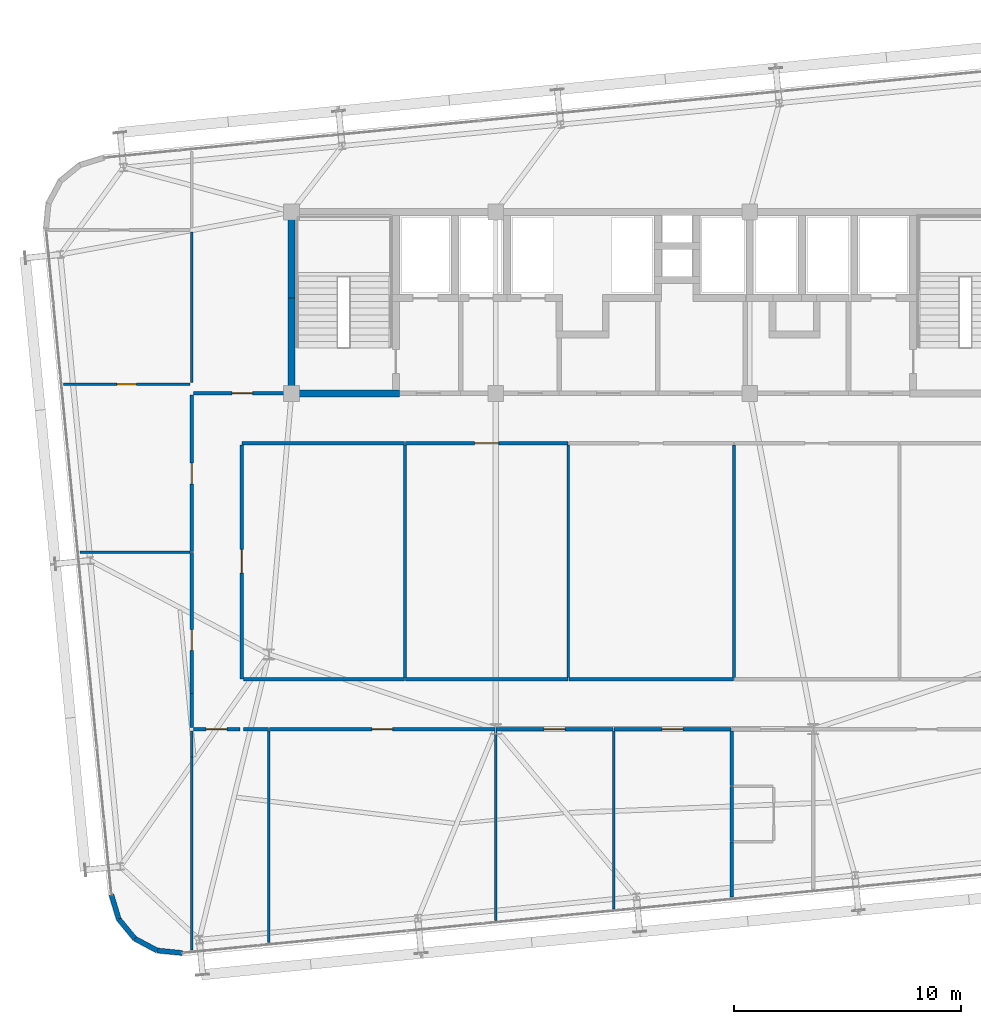
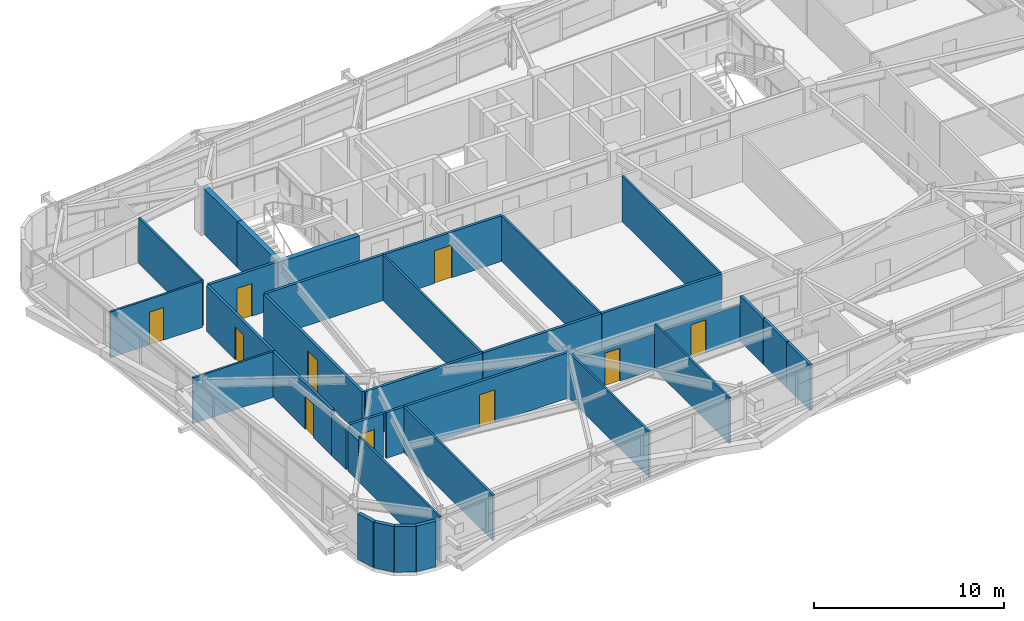
# One storey, part 46 of 52: 36 walls, 10 doors, 10 openings.
"""IFC4 building model written with IfcOpenShell, lengths in metres."""

from ifc_helpers import new_model, si_unit, direction, frame, frame_2d, origin, place, context, subcontext, project, spatial, rectangle, extrude, source, transform, mapped, material, layer, layer_set, type_object, element, fill, save


model = new_model("IFC4")

# Units and contexts
model_context = context("Model", 3, precision=1e-05, world=origin(), true_north=direction((0.0, 1.0)))
body_context = subcontext(model_context, "Body", "Model", "MODEL_VIEW")
ifc_project = project(units=[si_unit("LENGTHUNIT", "METRE"), si_unit("AREAUNIT", "SQUARE_METRE"), si_unit("VOLUMEUNIT", "CUBIC_METRE"), si_unit("PLANEANGLEUNIT", "RADIAN"), si_unit("MASSUNIT", "GRAM", prefix="KILO")], contexts=[model_context])

# Site, building, storey
site_placement = place(None, origin())
site = spatial("IfcSite", under=ifc_project, at=site_placement, CompositionType="ELEMENT")
building_placement = place(site_placement, origin())
building = spatial("IfcBuilding", under=site, at=building_placement, Name="Taldren Reach Tower", CompositionType="ELEMENT")
storey_placement = place(building_placement, frame((0.0, 0.0, 93.449951171875)))
storey = spatial("IfcBuildingStorey", under=building, at=storey_placement, Name="L28", CompositionType="ELEMENT", Elevation=93.449951171875)

# Walls
ifc_material_1 = material(Name="Pale Champagne Anodised Aluminium Cladding", Category="aluminium")
ifc_layer_1 = layer(ifc_material_1, 0.04, Name="Pale Champagne Anodised Aluminium Cladding", Category="aluminium")
ifc_material_2 = material(Name="Mineral Wool Acoustic Insulation", Category="insulation")
ifc_layer_2 = layer(ifc_material_2, 0.06, Name="Mineral Wool Acoustic Insulation", Category="insulation")
ifc_material_3 = material(Name="Steel Gr 350 (C350L0)", Category="steel")
ifc_layer_3 = layer(ifc_material_3, 0.12, Name="Steel Gr 350 (C350L0)", Category="steel")
ifc_layer_set_1 = layer_set([ifc_layer_1, ifc_layer_2, ifc_layer_3], Name="Pale Champagne Aluminium Cladding and Steel Gr 350 Stud Framing")
wall_type_1 = type_object("IfcWallType", Name="EW-CRN-220", PredefinedType="SOLIDWALL", material=ifc_layer_set_1)
shared_shape_1 = source(origin(), body_context, "Body", "SweptSolid", [
    extrude(rectangle(XDim=1.115966796875, YDim=0.219970703125, at=frame_2d((0.55810546875, 0.0))), origin(), (0.0, 0.0, 1.0), 2.929931640625),
])
for number, where, z_axis, x_axis, name in (
    (1, (11.062255859375, 1.90185546875, 0.0), (0.0, 0.0, 1.0), (0.289855603468, -0.957070388811, 0.0), "Rounded-corner pale-metal facade wall L28-SW1"),
    (2, (11.3857421875, 0.833740234375, 0.0), (0.0, 0.0, 1.0), (0.633988016432, -0.773342870285, 0.0), "Rounded-corner pale-metal facade wall L28-SW2"),
    (3, (13.0771484375, -0.5556640625, 0.0), (0.0, 0.0, 1.0), (0.995142755671, -0.09844234778, 0.0), "Rounded-corner pale-metal facade wall L28-SW4"),
):
    element("IfcWall", number, at=place(storey_placement, frame(where, z_axis=z_axis, x_axis=x_axis)), inside=storey, type_object=wall_type_1, Name=name, PredefinedType="SOLIDWALL", context=body_context, shape_type="MappedRepresentation", body=[
        mapped(shared_shape_1, transform((0.0, 0.0, 0.0), scale=1.0)),
    ])
shared_shape_2 = source(origin(), body_context, "Body", "SweptSolid", [
    extrude(rectangle(XDim=1.11572265625, YDim=0.219970703125, at=frame_2d((0.557861328125, 0.0))), origin(), (0.0, 0.0, 1.0), 2.929931640625),
])
wall_1_placement = place(storey_placement, frame((12.09326171875, -0.029296875, 0.0), z_axis=(0.0, 0.0, 1.0), x_axis=(0.881746547635, -0.471723463201, 0.0)))
element("IfcWall", 4, at=wall_1_placement, inside=storey, type_object=wall_type_1, Name="Rounded-corner pale-metal facade wall L28-SW3", PredefinedType="SOLIDWALL", context=body_context, shape_type="MappedRepresentation", body=[
    mapped(shared_shape_2, transform((0.0, 0.0, 0.0), scale=1.0)),
])

# Wall, opening, door
ifc_material_4 = material(Name="Fire-Rated Acoustic Plasterboard Stud Wall", Category="gypsum")
ifc_layer_4 = layer(ifc_material_4, 0.159912109375)
ifc_layer_set_2 = layer_set([ifc_layer_4], Name="Fire-Rated Acoustic Plasterboard Stud Wall")
wall_type_2 = type_object("IfcWallType", Name="IW-FIRE-160", PredefinedType="PARTITIONING", material=ifc_layer_set_2)
shared_shape_3 = source(origin(), body_context, "Body", "SweptSolid", [
    extrude(rectangle(XDim=10.2998046875, YDim=0.159912109375, at=frame_2d((5.14990234375, 0.0))), origin(), (0.0, 0.0, 1.0), 2.929931640625),
])
wall_2_placement = place(storey_placement, frame((16.800048828125, 21.719970703125, 0.0), z_axis=(0.0, 0.0, 1.0), x_axis=(0.0, -1.0, 0.0)))
wall_2 = element("IfcWall", 5, at=wall_2_placement, inside=storey, type_object=wall_type_2, Name="Interior Partition Wall W-INT-L28-047", PredefinedType="PARTITIONING", context=body_context, shape_type="MappedRepresentation", body=[
    mapped(shared_shape_3, transform((0.0, 0.0, 0.0), scale=1.0)),
])
shared_shape_4 = source(origin(), body_context, "Body", "SweptSolid", [
    extrude(rectangle(XDim=1.050048828125, YDim=2.10009765625, at=frame_2d((0.52490234375, 1.050048828125))), frame((0.0, 0.08984375, 0.0), z_axis=(0.0, -1.0, 0.0), x_axis=(1.0, 0.0, 0.0)), (0.0, 0.0, 1.0), 0.179931640625),
])
opening_1_placement = place(wall_2_placement, frame((4.594970703125, 0.0, 0.0)))
opening_1 = element("IfcOpeningElement", 6, at=opening_1_placement, cuts=wall_2, Name="Opening DF-105", PredefinedType="OPENING", context=body_context, shape_type="MappedRepresentation", body=[
    mapped(shared_shape_4, transform((0.0, 0.0, 0.0), scale=1.0)),
])
ifc_material_5 = material(Name="Fire-Rated Care and Stair Exit Door")
door_type_1 = type_object("IfcDoorType", Name="ID-FIRE-105", OperationType="NOTDEFINED", PredefinedType="DOOR", material=ifc_material_5)
shared_shape_5 = source(origin(), body_context, "Body", "SweptSolid", [
    extrude(rectangle(XDim=1.050048828125, YDim=2.10009765625, at=frame_2d((0.52490234375, 1.050048828125))), frame((0.0, 0.02490234375, 0.0), z_axis=(0.0, -1.0, 0.0), x_axis=(1.0, 0.0, 0.0)), (0.0, 0.0, 1.0), 0.050048828125),
])
door_1_placement = place(opening_1_placement, origin())
door_1 = element("IfcDoor", 7, at=door_1_placement, inside=storey, type_object=door_type_1, Name="Interior Door DR-L28-009", OperationType="SINGLE_SWING_RIGHT", OverallHeight=2.10009765625, OverallWidth=1.050048828125, PredefinedType="DOOR", context=body_context, shape_type="MappedRepresentation", body=[
    mapped(shared_shape_5, transform((0.0, 0.0, 0.0), scale=1.0)),
])
fill(opening_1, door_1)

shared_shape_6 = source(origin(), body_context, "Body", "SweptSolid", [
    extrude(rectangle(XDim=2.0400390625, YDim=0.159912109375, at=frame_2d((1.02001953125, 0.0))), origin(), (0.0, 0.0, 1.0), 2.929931640625),
])
wall_3_placement = place(storey_placement, frame((16.719970703125, 9.199951171875, 0.0), z_axis=(0.0, 0.0, 1.0), x_axis=(-1.0, 0.0, 0.0)))
wall_3 = element("IfcWall", 8, at=wall_3_placement, inside=storey, type_object=wall_type_2, Name="Interior Partition Wall W-INT-L28-054", PredefinedType="PARTITIONING", context=body_context, shape_type="MappedRepresentation", body=[
    mapped(shared_shape_6, transform((0.0, 0.0, 0.0), scale=1.0)),
])
shared_shape_7 = source(origin(), body_context, "Body", "SweptSolid", [
    extrude(rectangle(XDim=0.919921875, YDim=2.10009765625, at=frame_2d((0.4599609375, 1.050048828125))), frame((0.0, 0.08984375, 0.0), z_axis=(0.0, -1.0, 0.0), x_axis=(1.0, 0.0, 0.0)), (0.0, 0.0, 1.0), 0.179931640625),
])
opening_2_placement = place(wall_3_placement, frame((0.56005859375, 0.0, 0.0)))
opening_2 = element("IfcOpeningElement", 9, at=opening_2_placement, cuts=wall_3, Name="Opening DI-092", PredefinedType="OPENING", context=body_context, shape_type="MappedRepresentation", body=[
    mapped(shared_shape_7, transform((0.0, 0.0, 0.0), scale=1.0)),
])
ifc_material_6 = material(Name="Solid-Core Timber Suite Door", Category="wood")
door_type_2 = type_object("IfcDoorType", Name="ID-INT-092", OperationType="NOTDEFINED", PredefinedType="DOOR", material=ifc_material_6)
shared_shape_8 = source(origin(), body_context, "Body", "SweptSolid", [
    extrude(rectangle(XDim=0.919921875, YDim=2.10009765625, at=frame_2d((0.4599609375, 1.050048828125))), frame((0.0, 0.02490234375, 0.0), z_axis=(0.0, -1.0, 0.0), x_axis=(1.0, 0.0, 0.0)), (0.0, 0.0, 1.0), 0.050048828125),
])
door_2_placement = place(opening_2_placement, origin())
door_2 = element("IfcDoor", 10, at=door_2_placement, inside=storey, type_object=door_type_2, Name="Interior Door DR-L28-014", OperationType="SINGLE_SWING_LEFT", OverallHeight=2.10009765625, OverallWidth=0.919921875, PredefinedType="DOOR", context=body_context, shape_type="MappedRepresentation", body=[
    mapped(shared_shape_8, transform((0.0, 0.0, 0.0), scale=1.0)),
])
fill(opening_2, door_2)

# Walls
shared_shape_9 = source(origin(), body_context, "Body", "SweptSolid", [
    extrude(rectangle(XDim=1.099853515625, YDim=0.159912109375, at=frame_2d((0.5498046875, 0.0))), origin(), (0.0, 0.0, 1.0), 2.929931640625),
])
wall_4_placement = place(storey_placement, frame((17.979736328125, 9.199951171875, 0.0), z_axis=(0.0, 0.0, 1.0), x_axis=(-1.0, 0.0, 0.0)))
element("IfcWall", 11, at=wall_4_placement, inside=storey, type_object=wall_type_2, Name="Interior Partition Wall W-INT-L28-067", PredefinedType="PARTITIONING", context=body_context, shape_type="MappedRepresentation", body=[
    mapped(shared_shape_9, transform((0.0, 0.0, 0.0), scale=1.0)),
])
shared_shape_10 = source(origin(), body_context, "Body", "SweptSolid", [
    extrude(rectangle(XDim=2.40966796875, YDim=0.159912109375, at=frame_2d((1.204833984375, 0.0))), origin(), (0.0, 0.0, 1.0), 2.929931640625),
])
wall_5_placement = place(storey_placement, frame((38.39990234375, 6.668212890625, 0.0), z_axis=(0.0, 0.0, 1.0), x_axis=(0.0, -1.0, 0.0)))
element("IfcWall", 12, at=wall_5_placement, inside=storey, type_object=wall_type_2, Name="Interior Partition Wall W-INT-L28-084", PredefinedType="PARTITIONING", context=body_context, shape_type="MappedRepresentation", body=[
    mapped(shared_shape_10, transform((0.0, 0.0, 0.0), scale=1.0)),
])

# Wall, opening, door
shared_shape_11 = source(origin(), body_context, "Body", "SweptSolid", [
    extrude(rectangle(XDim=9.95947265625, YDim=0.159912109375, at=frame_2d((4.979736328125, 0.0))), origin(), (0.0, 0.0, 1.0), 2.929931640625),
])
wall_6_placement = place(storey_placement, frame((27.979736328125, 9.199951171875, 0.0), z_axis=(0.0, 0.0, 1.0), x_axis=(-1.0, 0.0, 0.0)))
wall_6 = element("IfcWall", 13, at=wall_6_placement, inside=storey, type_object=wall_type_2, Name="Interior Partition Wall W-INT-L28-068", PredefinedType="PARTITIONING", context=body_context, shape_type="MappedRepresentation", body=[
    mapped(shared_shape_11, transform((0.0, 0.0, 0.0), scale=1.0)),
])
opening_3_placement = place(wall_6_placement, frame((4.519775390625, 0.0, 0.0)))
opening_3 = element("IfcOpeningElement", 14, at=opening_3_placement, cuts=wall_6, Name="Opening DI-092", PredefinedType="OPENING", context=body_context, shape_type="MappedRepresentation", body=[
    mapped(shared_shape_7, transform((0.0, 0.0, 0.0), scale=1.0)),
])
door_3_placement = place(opening_3_placement, origin())
door_3 = element("IfcDoor", 15, at=door_3_placement, inside=storey, type_object=door_type_2, Name="Interior Door DR-L28-021", OperationType="SINGLE_SWING_RIGHT", OverallHeight=2.10009765625, OverallWidth=0.919921875, PredefinedType="DOOR", context=body_context, shape_type="MappedRepresentation", body=[
    mapped(shared_shape_8, transform((0.0, 0.0, 0.0), scale=1.0)),
])
fill(opening_3, door_3)

# Wall
shared_shape_12 = source(origin(), body_context, "Body", "SweptSolid", [
    extrude(rectangle(XDim=7.159423828125, YDim=0.159912109375, at=frame_2d((3.57958984375, 0.0))), origin(), (0.0, 0.0, 1.0), 2.929931640625),
])
wall_7_placement = place(storey_placement, frame((23.979736328125, 21.800048828125, 0.0), z_axis=(0.0, 0.0, 1.0), x_axis=(-1.0, 0.0, 0.0)))
element("IfcWall", 16, at=wall_7_placement, inside=storey, type_object=wall_type_2, Name="Interior Partition Wall W-INT-L28-048", PredefinedType="PARTITIONING", context=body_context, shape_type="MappedRepresentation", body=[
    mapped(shared_shape_12, transform((0.0, 0.0, 0.0), scale=1.0)),
])

# Wall, opening, door
wall_8_placement = place(storey_placement, frame((31.1796875, 21.800048828125, 0.0), z_axis=(0.0, 0.0, 1.0), x_axis=(-1.0, 0.0, 0.0)))
wall_8 = element("IfcWall", 17, at=wall_8_placement, inside=storey, type_object=wall_type_2, Name="Interior Partition Wall W-INT-L28-049", PredefinedType="PARTITIONING", context=body_context, shape_type="MappedRepresentation", body=[
    mapped(shared_shape_12, transform((0.0, 0.0, 0.0), scale=1.0)),
])
opening_4_placement = place(wall_8_placement, frame((3.0546875, 0.0, 0.0)))
opening_4 = element("IfcOpeningElement", 18, at=opening_4_placement, cuts=wall_8, Name="Opening DF-105", PredefinedType="OPENING", context=body_context, shape_type="MappedRepresentation", body=[
    mapped(shared_shape_4, transform((0.0, 0.0, 0.0), scale=1.0)),
])
door_4_placement = place(opening_4_placement, origin())
door_4 = element("IfcDoor", 19, at=door_4_placement, inside=storey, type_object=door_type_1, Name="Interior Door DR-L28-010", OperationType="SINGLE_SWING_LEFT", OverallHeight=2.10009765625, OverallWidth=1.050048828125, PredefinedType="DOOR", context=body_context, shape_type="MappedRepresentation", body=[
    mapped(shared_shape_5, transform((0.0, 0.0, 0.0), scale=1.0)),
])
fill(opening_4, door_4)

# Walls
wall_9_placement = place(storey_placement, frame((24.020263671875, 11.39990234375, 0.0), z_axis=(0.0, 0.0, 1.0), x_axis=(1.0, 0.0, 0.0)))
element("IfcWall", 20, at=wall_9_placement, inside=storey, type_object=wall_type_2, Name="Interior Partition Wall W-INT-L28-063", PredefinedType="PARTITIONING", context=body_context, shape_type="MappedRepresentation", body=[
    mapped(shared_shape_12, transform((0.0, 0.0, 0.0), scale=1.0)),
])
shared_shape_13 = source(origin(), body_context, "Body", "SweptSolid", [
    extrude(rectangle(XDim=7.259521484375, YDim=0.159912109375, at=frame_2d((3.6298828125, 0.0))), origin(), (0.0, 0.0, 1.0), 2.929931640625),
])
wall_10_placement = place(storey_placement, frame((31.22021484375, 11.39990234375, 0.0), z_axis=(0.0, 0.0, 1.0), x_axis=(1.0, 0.0, 0.0)))
element("IfcWall", 21, at=wall_10_placement, inside=storey, type_object=wall_type_2, Name="Interior Partition Wall W-INT-L28-064", PredefinedType="PARTITIONING", context=body_context, shape_type="MappedRepresentation", body=[
    mapped(shared_shape_13, transform((0.0, 0.0, 0.0), scale=1.0)),
])
shared_shape_14 = source(origin(), body_context, "Body", "SweptSolid", [
    extrude(rectangle(XDim=7.099853515625, YDim=0.159912109375, at=frame_2d((3.5498046875, 0.0))), origin(), (0.0, 0.0, 1.0), 2.929931640625),
])
wall_11_placement = place(storey_placement, frame((16.8798828125, 11.39990234375, 0.0), z_axis=(0.0, 0.0, 1.0), x_axis=(1.0, 0.0, 0.0)))
element("IfcWall", 22, at=wall_11_placement, inside=storey, type_object=wall_type_2, Name="Interior Partition Wall W-INT-L28-062", PredefinedType="PARTITIONING", context=body_context, shape_type="MappedRepresentation", body=[
    mapped(shared_shape_14, transform((0.0, 0.0, 0.0), scale=1.0)),
])
ifc_material_7 = material(Name="Insulated Residential Stud Partition", Category="gypsum")
ifc_layer_5 = layer(ifc_material_7, 0.1201171875)
ifc_layer_set_3 = layer_set([ifc_layer_5], Name="Insulated Residential Stud Partition")
wall_type_3 = type_object("IfcWallType", Name="IW-PART-120", PredefinedType="PARTITIONING", material=ifc_layer_set_3)
shared_shape_15 = source(origin(), body_context, "Body", "SweptSolid", [
    extrude(rectangle(XDim=10.239990234375, YDim=0.1201171875, at=frame_2d((5.1201171875, 0.0))), origin(), (0.0, 0.0, 1.0), 2.929931640625),
])
for number, where, z_axis, x_axis, name in (
    (23, (24.0, 21.719970703125, 0.0), (0.0, 0.0, 1.0), (0.0, -1.0, 0.0), "Interior Partition Wall W-INT-L28-074"),
    (24, (31.199951171875, 21.719970703125, 0.0), (0.0, 0.0, 1.0), (0.0, -1.0, 0.0), "Interior Partition Wall W-INT-L28-075"),
    (25, (38.5, 21.719970703125, 0.0), (0.0, 0.0, 1.0), (0.0, -1.0, 0.0), "Interior Partition Wall W-INT-L28-076"),
):
    element("IfcWall", number, at=place(storey_placement, frame(where, z_axis=z_axis, x_axis=x_axis)), inside=storey, type_object=wall_type_3, Name=name, PredefinedType="PARTITIONING", context=body_context, shape_type="MappedRepresentation", body=[
        mapped(shared_shape_15, transform((0.0, 0.0, 0.0), scale=1.0)),
    ])

# Wall, opening, door
shared_shape_16 = source(origin(), body_context, "Body", "SweptSolid", [
    extrude(rectangle(XDim=6.899658203125, YDim=0.159912109375, at=frame_2d((3.44970703125, 0.0))), origin(), (0.0, 0.0, 1.0), 2.929931640625),
])
wall_12_placement = place(storey_placement, frame((14.60009765625, 17.020263671875, 0.0), z_axis=(0.0, 0.0, 1.0), x_axis=(0.0, 1.0, 0.0)))
wall_12 = element("IfcWall", 26, at=wall_12_placement, inside=storey, type_object=wall_type_2, Name="Interior Partition Wall W-INT-L28-057", PredefinedType="PARTITIONING", context=body_context, shape_type="MappedRepresentation", body=[
    mapped(shared_shape_16, transform((0.0, 0.0, 0.0), scale=1.0)),
])
opening_5_placement = place(wall_12_placement, frame((2.989990234375, 0.0, 0.0)))
opening_5 = element("IfcOpeningElement", 27, at=opening_5_placement, cuts=wall_12, Name="Opening DI-092", PredefinedType="OPENING", context=body_context, shape_type="MappedRepresentation", body=[
    mapped(shared_shape_7, transform((0.0, 0.0, 0.0), scale=1.0)),
])
door_5_placement = place(opening_5_placement, origin())
door_5 = element("IfcDoor", 28, at=door_5_placement, inside=storey, type_object=door_type_2, Name="Interior Door DR-L28-017", OperationType="SINGLE_SWING_RIGHT", OverallHeight=2.10009765625, OverallWidth=0.919921875, PredefinedType="DOOR", context=body_context, shape_type="MappedRepresentation", body=[
    mapped(shared_shape_8, transform((0.0, 0.0, 0.0), scale=1.0)),
])
fill(opening_5, door_5)

# Walls
ifc_material_8 = material(Name="Concrete S65 (65 MPa)", Category="concrete")
ifc_layer_6 = layer(ifc_material_8, 0.300048828125)
ifc_layer_set_4 = layer_set([ifc_layer_6], Name="Concrete S65 (65 MPa)")
wall_type_4 = type_object("IfcWallType", Name="IW-CORE-300", PredefinedType="SHEAR", material=ifc_layer_set_4)
shared_shape_17 = source(origin(), body_context, "Body", "SweptSolid", [
    extrude(rectangle(XDim=4.050048828125, YDim=0.300048828125, at=frame_2d((2.02490234375, 0.0))), origin(), (0.0, 0.0, 1.0), 2.929931640625),
])
wall_13_placement = place(storey_placement, frame((19.0, 24.14990234375, 0.0), z_axis=(0.0, 0.0, 1.0), x_axis=(0.0, 1.0, 0.0)))
element("IfcWall", 29, at=wall_13_placement, inside=storey, type_object=wall_type_4, Name="Rear Core Shear Wall W-CORE-L28-WEST1", PredefinedType="SHEAR", context=body_context, shape_type="MappedRepresentation", body=[
    mapped(shared_shape_17, transform((0.0, 0.0, 0.0), scale=1.0)),
])
shared_shape_18 = source(origin(), body_context, "Body", "SweptSolid", [
    extrude(rectangle(XDim=3.650146484375, YDim=0.300048828125, at=frame_2d((1.8251953125, 0.0))), origin(), (0.0, 0.0, 1.0), 2.929931640625),
])
wall_14_placement = place(storey_placement, frame((19.0, 28.199951171875, 0.0), z_axis=(0.0, 0.0, 1.0), x_axis=(0.0, 1.0, 0.0)))
element("IfcWall", 30, at=wall_14_placement, inside=storey, type_object=wall_type_4, Name="Rear Core Shear Wall W-CORE-L28-WEST2", PredefinedType="SHEAR", context=body_context, shape_type="MappedRepresentation", body=[
    mapped(shared_shape_18, transform((0.0, 0.0, 0.0), scale=1.0)),
])
shared_shape_19 = source(origin(), body_context, "Body", "SweptSolid", [
    extrude(rectangle(XDim=4.89990234375, YDim=0.300048828125, at=frame_2d((2.449951171875, 0.0))), origin(), (0.0, 0.0, 1.0), 2.929931640625),
])
wall_15_placement = place(storey_placement, frame((18.85009765625, 24.0, 0.0), z_axis=(0.0, 0.0, 1.0), x_axis=(1.0, 0.0, 0.0)))
element("IfcWall", 31, at=wall_15_placement, inside=storey, type_object=wall_type_4, Name="Rear Core Shear Wall W-INT-L28-003", PredefinedType="SHEAR", context=body_context, shape_type="MappedRepresentation", body=[
    mapped(shared_shape_19, transform((0.0, 0.0, 0.0), scale=1.0)),
])

# Wall, opening, door
shared_shape_20 = source(origin(), body_context, "Body", "SweptSolid", [
    extrude(rectangle(XDim=4.170166015625, YDim=0.159912109375, at=frame_2d((2.0849609375, 0.0))), origin(), (0.0, 0.0, 1.0), 2.929931640625),
])
wall_16_placement = place(storey_placement, frame((14.679931640625, 24.0, 0.0), z_axis=(0.0, 0.0, 1.0), x_axis=(1.0, 0.0, 0.0)))
wall_16 = element("IfcWall", 32, at=wall_16_placement, inside=storey, type_object=wall_type_2, Name="Interior Partition Wall W-INT-L28-060", PredefinedType="PARTITIONING", context=body_context, shape_type="MappedRepresentation", body=[
    mapped(shared_shape_20, transform((0.0, 0.0, 0.0), scale=1.0)),
])
opening_6_placement = place(wall_16_placement, frame((1.68994140625, 0.0, 0.0)))
opening_6 = element("IfcOpeningElement", 33, at=opening_6_placement, cuts=wall_16, Name="Opening DI-092", PredefinedType="OPENING", context=body_context, shape_type="MappedRepresentation", body=[
    mapped(shared_shape_7, transform((0.0, 0.0, 0.0), scale=1.0)),
])
door_6_placement = place(opening_6_placement, origin())
door_6 = element("IfcDoor", 34, at=door_6_placement, inside=storey, type_object=door_type_2, Name="Interior Door DR-L28-020", OperationType="SINGLE_SWING_LEFT", OverallHeight=2.10009765625, OverallWidth=0.919921875, PredefinedType="DOOR", context=body_context, shape_type="MappedRepresentation", body=[
    mapped(shared_shape_8, transform((0.0, 0.0, 0.0), scale=1.0)),
])
fill(opening_6, door_6)

# Walls
shared_shape_21 = source(origin(), body_context, "Body", "SweptSolid", [
    extrude(rectangle(XDim=8.3486328125, YDim=0.1201171875, at=frame_2d((4.17431640625, 0.0))), origin(), (0.0, 0.0, 1.0), 2.929931640625),
])
wall_17_placement = place(storey_placement, frame((28.0, 9.1201171875, 0.0), z_axis=(0.0, 0.0, 1.0), x_axis=(0.0, -1.0, 0.0)))
element("IfcWall", 35, at=wall_17_placement, inside=storey, type_object=wall_type_3, Name="Interior Partition Wall W-INT-L28-080", PredefinedType="PARTITIONING", context=body_context, shape_type="MappedRepresentation", body=[
    mapped(shared_shape_21, transform((0.0, 0.0, 0.0), scale=1.0)),
])
shared_shape_22 = source(origin(), body_context, "Body", "SweptSolid", [
    extrude(rectangle(XDim=1.498291015625, YDim=0.159912109375, at=frame_2d((0.7490234375, 0.0))), origin(), (0.0, 0.0, 1.0), 2.623046875),
])
wall_18_placement = place(storey_placement, frame((14.60009765625, 9.280029296875, 0.0), z_axis=(0.0, 0.0, 1.0), x_axis=(0.0, 1.0, 0.0)))
element("IfcWall", 36, at=wall_18_placement, inside=storey, type_object=wall_type_2, Name="Interior Partition Wall W-INT-L28-056", PredefinedType="PARTITIONING", context=body_context, shape_type="MappedRepresentation", body=[
    mapped(shared_shape_22, transform((0.0, 0.0, 0.0), scale=1.0)),
])
shared_shape_23 = source(origin(), body_context, "Body", "SweptSolid", [
    extrude(rectangle(XDim=1.143310546875, YDim=0.1201171875, at=frame_2d((0.57177734375, 0.0))), origin(), (0.0, 0.0, 1.0), 2.623046875),
])
wall_19_placement = place(storey_placement, frame((14.60009765625, 7.974609375, 0.0), z_axis=(0.0, 0.0, 1.0), x_axis=(0.0, 1.0, 0.0)))
element("IfcWall", 37, at=wall_19_placement, inside=storey, type_object=wall_type_3, Name="Interior Partition Wall W-INT-L28-079 part 2", PredefinedType="PARTITIONING", context=body_context, shape_type="MappedRepresentation", body=[
    mapped(shared_shape_23, transform((0.0, 0.0, 0.0), scale=1.0)),
])
shared_shape_24 = source(origin(), body_context, "Body", "SweptSolid", [
    extrude(rectangle(XDim=8.49951171875, YDim=0.1201171875, at=frame_2d((4.249755859375, 0.0))), origin(), (0.0, 0.0, 1.0), 2.929931640625),
])
wall_20_placement = place(storey_placement, frame((14.60009765625, -0.52490234375, 0.0), z_axis=(0.0, 0.0, 1.0), x_axis=(0.0, 1.0, 0.0)))
element("IfcWall", 38, at=wall_20_placement, inside=storey, type_object=wall_type_3, Name="Interior Partition Wall W-INT-L28-079", PredefinedType="PARTITIONING", context=body_context, shape_type="MappedRepresentation", body=[
    mapped(shared_shape_24, transform((0.0, 0.0, 0.0), scale=1.0)),
])

# Wall, opening, door
shared_shape_25 = source(origin(), body_context, "Body", "SweptSolid", [
    extrude(rectangle(XDim=6.201416015625, YDim=0.159912109375, at=frame_2d((3.1005859375, 0.0))), origin(), (0.0, 0.0, 1.0), 2.929931640625),
])
wall_21_placement = place(storey_placement, frame((14.60009765625, 10.7783203125, 0.0), z_axis=(0.0, 0.0, 1.0), x_axis=(0.0, 1.0, 0.0)))
wall_21 = element("IfcWall", 39, at=wall_21_placement, inside=storey, type_object=wall_type_2, Name="Interior Partition Wall W-INT-L28-056 part 2", PredefinedType="PARTITIONING", context=body_context, shape_type="MappedRepresentation", body=[
    mapped(shared_shape_25, transform((0.0, 0.0, 0.0), scale=1.0)),
])
opening_7_placement = place(wall_21_placement, frame((1.8916015625, 0.0, 0.0)))
opening_7 = element("IfcOpeningElement", 40, at=opening_7_placement, cuts=wall_21, Name="Opening DI-092", PredefinedType="OPENING", context=body_context, shape_type="MappedRepresentation", body=[
    mapped(shared_shape_7, transform((0.0, 0.0, 0.0), scale=1.0)),
])
door_7_placement = place(opening_7_placement, origin())
door_7 = element("IfcDoor", 41, at=door_7_placement, inside=storey, type_object=door_type_2, Name="Interior Door DR-L28-016", OperationType="SINGLE_SWING_LEFT", OverallHeight=2.10009765625, OverallWidth=0.919921875, PredefinedType="DOOR", context=body_context, shape_type="MappedRepresentation", body=[
    mapped(shared_shape_8, transform((0.0, 0.0, 0.0), scale=1.0)),
])
fill(opening_7, door_7)

shared_shape_26 = source(origin(), body_context, "Body", "SweptSolid", [
    extrude(rectangle(XDim=5.159423828125, YDim=0.159912109375, at=frame_2d((2.57958984375, 0.0))), origin(), (0.0, 0.0, 1.0), 2.328125),
])
wall_22_placement = place(storey_placement, frame((33.1796875, 9.199951171875, 0.0), z_axis=(0.0, 0.0, 1.0), x_axis=(-1.0, 0.0, 0.0)))
wall_22 = element("IfcWall", 42, at=wall_22_placement, inside=storey, type_object=wall_type_2, Name="Interior Partition Wall W-INT-L28-069", PredefinedType="PARTITIONING", context=body_context, shape_type="MappedRepresentation", body=[
    mapped(shared_shape_26, transform((0.0, 0.0, 0.0), scale=1.0)),
])
opening_8_placement = place(wall_22_placement, frame((2.119873046875, 0.0, 0.0)))
opening_8 = element("IfcOpeningElement", 43, at=opening_8_placement, cuts=wall_22, Name="Opening DI-092", PredefinedType="OPENING", context=body_context, shape_type="MappedRepresentation", body=[
    mapped(shared_shape_7, transform((0.0, 0.0, 0.0), scale=1.0)),
])
door_8_placement = place(opening_8_placement, origin())
door_8 = element("IfcDoor", 44, at=door_8_placement, inside=storey, type_object=door_type_2, Name="Interior Door DR-L28-022", OperationType="SINGLE_SWING_LEFT", OverallHeight=2.10009765625, OverallWidth=0.919921875, PredefinedType="DOOR", context=body_context, shape_type="MappedRepresentation", body=[
    mapped(shared_shape_8, transform((0.0, 0.0, 0.0), scale=1.0)),
])
fill(opening_8, door_8)

shared_shape_27 = source(origin(), body_context, "Body", "SweptSolid", [
    extrude(rectangle(XDim=5.15966796875, YDim=0.159912109375, at=frame_2d((2.579833984375, 0.0))), origin(), (0.0, 0.0, 1.0), 2.328125),
])
wall_23_placement = place(storey_placement, frame((38.3798828125, 9.199951171875, 0.0), z_axis=(0.0, 0.0, 1.0), x_axis=(-1.0, 0.0, 0.0)))
wall_23 = element("IfcWall", 45, at=wall_23_placement, inside=storey, type_object=wall_type_2, Name="Interior Partition Wall W-INT-L28-070", PredefinedType="PARTITIONING", context=body_context, shape_type="MappedRepresentation", body=[
    mapped(shared_shape_27, transform((0.0, 0.0, 0.0), scale=1.0)),
])
opening_9_placement = place(wall_23_placement, frame((2.119873046875, 0.0, 0.0)))
opening_9 = element("IfcOpeningElement", 46, at=opening_9_placement, cuts=wall_23, Name="Opening DI-092", PredefinedType="OPENING", context=body_context, shape_type="MappedRepresentation", body=[
    mapped(shared_shape_7, transform((0.0, 0.0, 0.0), scale=1.0)),
])
door_9_placement = place(opening_9_placement, origin())
door_9 = element("IfcDoor", 47, at=door_9_placement, inside=storey, type_object=door_type_2, Name="Interior Door DR-L28-023", OperationType="SINGLE_SWING_RIGHT", OverallHeight=2.10009765625, OverallWidth=0.919921875, PredefinedType="DOOR", context=body_context, shape_type="MappedRepresentation", body=[
    mapped(shared_shape_8, transform((0.0, 0.0, 0.0), scale=1.0)),
])
fill(opening_9, door_9)

# Walls
shared_shape_28 = source(origin(), body_context, "Body", "SweptSolid", [
    extrude(rectangle(XDim=9.3251953125, YDim=0.1201171875, at=frame_2d((4.66259765625, 0.0))), origin(), (0.0, 0.0, 1.0), 2.929931640625),
])
wall_24_placement = place(storey_placement, frame((18.0, 9.117919921875, 0.0), z_axis=(0.0, 0.0, 1.0), x_axis=(0.0, -1.0, 0.0)))
element("IfcWall", 48, at=wall_24_placement, inside=storey, type_object=wall_type_3, Name="Interior Partition Wall W-INT-L28-078", PredefinedType="PARTITIONING", context=body_context, shape_type="MappedRepresentation", body=[
    mapped(shared_shape_28, transform((0.0, 0.0, 0.0), scale=1.0)),
])
shared_shape_29 = source(origin(), body_context, "Body", "SweptSolid", [
    extrude(rectangle(XDim=7.8388671875, YDim=0.1201171875, at=frame_2d((3.91943359375, 0.0))), origin(), (0.0, 0.0, 1.0), 2.929931640625),
])
wall_25_placement = place(storey_placement, frame((33.199951171875, 9.1201171875, 0.0), z_axis=(0.0, 0.0, 1.0), x_axis=(0.0, -1.0, 0.0)))
element("IfcWall", 49, at=wall_25_placement, inside=storey, type_object=wall_type_3, Name="Interior Partition Wall W-INT-L28-081", PredefinedType="PARTITIONING", context=body_context, shape_type="MappedRepresentation", body=[
    mapped(shared_shape_29, transform((0.0, 0.0, 0.0), scale=1.0)),
])
shared_shape_30 = source(origin(), body_context, "Body", "SweptSolid", [
    extrude(rectangle(XDim=2.42724609375, YDim=0.159912109375, at=frame_2d((1.213623046875, 0.0))), origin(), (0.0, 0.0, 1.0), 2.929931640625),
])
wall_26_placement = place(storey_placement, frame((38.39990234375, 4.21826171875, 0.0), z_axis=(0.0, 0.0, 1.0), x_axis=(0.0, -1.0, 0.0)))
element("IfcWall", 50, at=wall_26_placement, inside=storey, type_object=wall_type_2, Name="Interior Partition Wall W-INT-L28-082", PredefinedType="PARTITIONING", context=body_context, shape_type="MappedRepresentation", body=[
    mapped(shared_shape_30, transform((0.0, 0.0, 0.0), scale=1.0)),
])
shared_shape_31 = source(origin(), body_context, "Body", "SweptSolid", [
    extrude(rectangle(XDim=2.41162109375, YDim=0.159912109375, at=frame_2d((1.205810546875, 0.0))), origin(), (0.0, 0.0, 1.0), 2.929931640625),
])
wall_27_placement = place(storey_placement, frame((38.39990234375, 9.1201171875, 0.0), z_axis=(0.0, 0.0, 1.0), x_axis=(0.0, -1.0, 0.0)))
element("IfcWall", 51, at=wall_27_placement, inside=storey, type_object=wall_type_2, Name="Interior Partition Wall W-INT-L28-083", PredefinedType="PARTITIONING", context=body_context, shape_type="MappedRepresentation", body=[
    mapped(shared_shape_31, transform((0.0, 0.0, 0.0), scale=1.0)),
])
shared_shape_32 = source(origin(), body_context, "Body", "SweptSolid", [
    extrude(rectangle(XDim=4.83984375, YDim=0.1201171875, at=frame_2d((2.419921875, 0.0))), origin(), (0.0, 0.0, 1.0), 2.929931640625),
])
wall_28_placement = place(storey_placement, frame((9.68017578125, 17.0, 0.0), z_axis=(0.0, 0.0, 1.0), x_axis=(1.0, 0.0, 0.0)))
element("IfcWall", 52, at=wall_28_placement, inside=storey, type_object=wall_type_3, Name="Interior Partition Wall W-INT-L28-091", PredefinedType="PARTITIONING", context=body_context, shape_type="MappedRepresentation", body=[
    mapped(shared_shape_32, transform((0.0, 0.0, 0.0), scale=1.0)),
])

# Wall, opening, door
shared_shape_33 = source(origin(), body_context, "Body", "SweptSolid", [
    extrude(rectangle(XDim=5.5654296875, YDim=0.1201171875, at=frame_2d((2.78271484375, 0.0))), origin(), (0.0, 0.0, 1.0), 2.929931640625),
])
wall_29_placement = place(storey_placement, frame((8.95458984375, 24.39990234375, 0.0), z_axis=(0.0, 0.0, 1.0), x_axis=(1.0, 0.0, 0.0)))
wall_29 = element("IfcWall", 53, at=wall_29_placement, inside=storey, type_object=wall_type_3, Name="Interior Partition Wall W-INT-L28-092", PredefinedType="PARTITIONING", context=body_context, shape_type="MappedRepresentation", body=[
    mapped(shared_shape_33, transform((0.0, 0.0, 0.0), scale=1.0)),
])
shared_shape_34 = source(origin(), body_context, "Body", "SweptSolid", [
    extrude(rectangle(XDim=0.860107421875, YDim=2.10009765625, at=frame_2d((0.43017578125, 1.050048828125))), frame((0.0, 0.070068359375, 0.0), z_axis=(0.0, -1.0, 0.0), x_axis=(1.0, 0.0, 0.0)), (0.0, 0.0, 1.0), 0.14013671875),
])
opening_10_placement = place(wall_29_placement, frame((2.352783203125, 0.0, 0.0)))
opening_10 = element("IfcOpeningElement", 54, at=opening_10_placement, cuts=wall_29, Name="Opening DI-086", PredefinedType="OPENING", context=body_context, shape_type="MappedRepresentation", body=[
    mapped(shared_shape_34, transform((0.0, 0.0, 0.0), scale=1.0)),
])
ifc_material_9 = material(Name="Timber Bathroom Door", Category="wood")
door_type_3 = type_object("IfcDoorType", Name="ID-INT-086", OperationType="NOTDEFINED", PredefinedType="DOOR", material=ifc_material_9)
shared_shape_35 = source(origin(), body_context, "Body", "SweptSolid", [
    extrude(rectangle(XDim=0.860107421875, YDim=2.10009765625, at=frame_2d((0.43017578125, 1.050048828125))), frame((0.0, 0.02490234375, 0.0), z_axis=(0.0, -1.0, 0.0), x_axis=(1.0, 0.0, 0.0)), (0.0, 0.0, 1.0), 0.050048828125),
])
door_10_placement = place(opening_10_placement, frame((0.860107421875, 0.0, 0.0), z_axis=(0.0, 0.0, 1.0), x_axis=(-1.0, 0.0, 0.0)))
door_10 = element("IfcDoor", 55, at=door_10_placement, inside=storey, type_object=door_type_3, Name="Interior Door DR-L28-027", OperationType="SINGLE_SWING_LEFT", OverallHeight=2.10009765625, OverallWidth=0.860107421875, PredefinedType="DOOR", context=body_context, shape_type="MappedRepresentation", body=[
    mapped(shared_shape_35, transform((0.0, 0.0, 0.0), scale=1.0)),
])
fill(opening_10, door_10)

# Wall
shared_shape_36 = source(origin(), body_context, "Body", "SweptSolid", [
    extrude(rectangle(XDim=6.64013671875, YDim=0.1201171875, at=frame_2d((3.320068359375, 0.0))), origin(), (0.0, 0.0, 1.0), 2.929931640625),
])
wall_30_placement = place(storey_placement, frame((14.60009765625, 31.1201171875, 0.0), z_axis=(0.0, 0.0, 1.0), x_axis=(0.0, -1.0, 0.0)))
element("IfcWall", 56, at=wall_30_placement, inside=storey, type_object=wall_type_3, Name="Interior Partition Wall W-INT-L28-094", PredefinedType="PARTITIONING", context=body_context, shape_type="MappedRepresentation", body=[
    mapped(shared_shape_36, transform((0.0, 0.0, 0.0), scale=1.0)),
])

save(model, "model.ifc")
